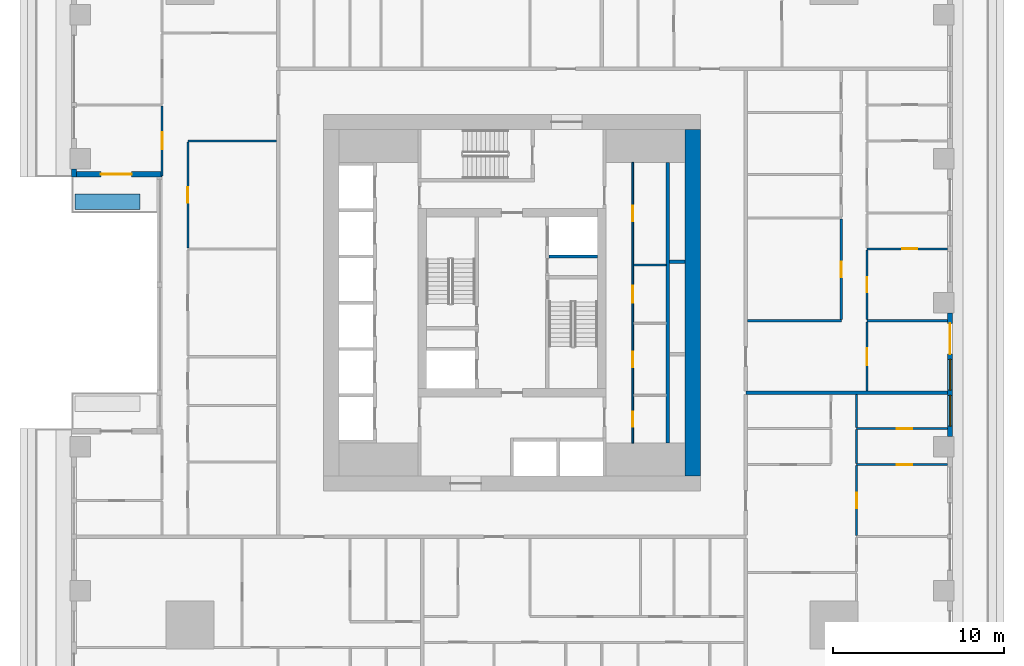
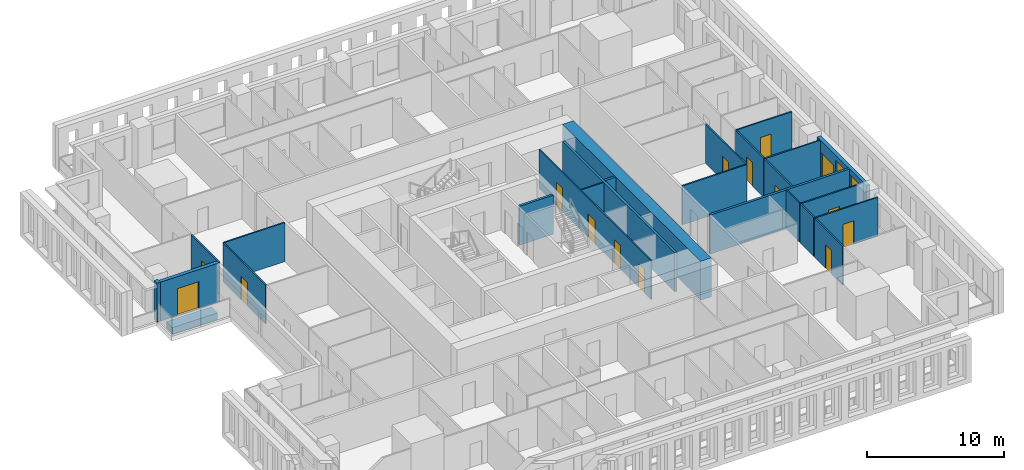
# One storey, part 6 of 15: 25 walls, 15 doors, 2 windows, 17 openings.
"""IFC4 building model written with IfcOpenShell, lengths in metres."""

from ifc_helpers import new_model, si_unit, direction, frame, frame_2d, origin, place, context, subcontext, project, spatial, rectangle, extrude, material, layer, layer_set, type_object, element, fill, save


model = new_model("IFC4")

# Units and contexts
model_context = context("Model", 3, precision=1e-05, world=origin(), true_north=direction((0.0, 1.0)))
body_context = subcontext(model_context, "Body", "Model", "MODEL_VIEW")
ifc_project = project(units=[si_unit("LENGTHUNIT", "METRE"), si_unit("AREAUNIT", "SQUARE_METRE"), si_unit("VOLUMEUNIT", "CUBIC_METRE"), si_unit("PLANEANGLEUNIT", "RADIAN"), si_unit("MASSUNIT", "GRAM", prefix="KILO")], contexts=[model_context])

# Site, building, storey
site_placement = place(None, origin())
site = spatial("IfcSite", under=ifc_project, at=site_placement, CompositionType="ELEMENT")
building_placement = place(site_placement, origin())
building = spatial("IfcBuilding", under=site, at=building_placement, Name="Khepri Terraces", CompositionType="ELEMENT")
storey_placement = place(building_placement, frame((0.0, 0.0, 94.800048828125)))
storey = spatial("IfcBuildingStorey", under=building, at=storey_placement, Name="L22", CompositionType="ELEMENT", Elevation=94.800048828125)

# Walls
ifc_material_1 = material(Name="Concrete C70/85", Category="concrete")
ifc_layer_1 = layer(ifc_material_1, 0.199951171875, Name="Concrete C70/85", Category="concrete")
ifc_layer_set_1 = layer_set([ifc_layer_1], Name="Concrete C70/85")
wall_type_1 = type_object("IfcWallType", Name="Core wall 200 C70/85", PredefinedType="SHEAR", material=ifc_layer_set_1)
wall_1_placement = place(storey_placement, frame((9.10009765625, -8.199951171875, 0.0), z_axis=(0.0, 0.0, 1.0), x_axis=(0.0, 1.0, 0.0)))
element("IfcWall", 1, at=wall_1_placement, inside=storey, type_object=wall_type_1, Name="Core wall SH05 L22", PredefinedType="SHEAR", context=body_context, shape_type="SweptSolid", body=[
    extrude(rectangle(XDim=16.39990234375, YDim=0.199951171875, at=frame_2d((8.199951171875, 0.0))), origin(), (0.0, 0.0, 1.0), 3.47998046875),
])
wall_2_placement = place(storey_placement, frame((9.199951171875, 2.39990234375, 0.0), z_axis=(0.0, 0.0, 1.0), x_axis=(1.0, 0.0, 0.0)))
element("IfcWall", 2, at=wall_2_placement, inside=storey, type_object=wall_type_1, Name="Core wall SH16 L22", PredefinedType="SHEAR", context=body_context, shape_type="SweptSolid", body=[
    extrude(rectangle(XDim=0.900146484375, YDim=0.199951171875, at=frame_2d((0.4501953125, 0.0))), origin(), (0.0, 0.0, 1.0), 3.47998046875),
])
wall_3_placement = place(storey_placement, frame((2.14990234375, 2.699951171875, 0.0), z_axis=(0.0, 0.0, 1.0), x_axis=(1.0, 0.0, 0.0)))
element("IfcWall", 3, at=wall_3_placement, inside=storey, type_object=wall_type_1, Name="Core wall SH18 L22", PredefinedType="SHEAR", context=body_context, shape_type="SweptSolid", body=[
    extrude(rectangle(XDim=2.85009765625, YDim=0.199951171875, at=frame_2d((1.425048828125, 0.0))), origin(), (0.0, 0.0, 1.0), 3.47998046875),
])
ifc_layer_2 = layer(ifc_material_1, 0.89990234375, Name="Concrete C70/85", Category="concrete")
ifc_layer_set_2 = layer_set([ifc_layer_2], Name="Concrete C70/85")
wall_type_2 = type_object("IfcWallType", Name="Core wall 900 C70/85", PredefinedType="SHEAR", material=ifc_layer_set_2)
wall_4_placement = place(storey_placement, frame((10.550048828125, -10.10009765625, 0.0), z_axis=(0.0, 0.0, 1.0), x_axis=(0.0, 1.0, 0.0)))
element("IfcWall", 4, at=wall_4_placement, inside=storey, type_object=wall_type_2, Name="Core wall OW-E L22", PredefinedType="SHEAR", context=body_context, shape_type="SweptSolid", body=[
    extrude(rectangle(XDim=20.2001953125, YDim=0.89990234375, at=frame_2d((10.10009765625, 0.0))), origin(), (0.0, 0.0, 1.0), 3.47998046875),
])

# Wall, openings, doors
ifc_material_2 = material(Name="Fire-rated gypsum board partition")
ifc_layer_3 = layer(ifc_material_2, 0.10009765625, Name="Fire-rated gypsum board partition")
ifc_layer_set_3 = layer_set([ifc_layer_3], Name="Fire-rated gypsum board partition")
wall_type_3 = type_object("IfcWallType", Name="WL-CORE-PART-100", PredefinedType="PARTITIONING", material=ifc_layer_set_3)
wall_5_placement = place(storey_placement, frame((7.050048828125, -8.199951171875, 0.0), z_axis=(0.0, 0.0, 1.0), x_axis=(0.0, 1.0, 0.0)))
wall_5 = element("IfcWall", 5, at=wall_5_placement, inside=storey, type_object=wall_type_3, Name="Core partition PT02 L22", PredefinedType="PARTITIONING", context=body_context, shape_type="SweptSolid", body=[
    extrude(rectangle(XDim=16.39990234375, YDim=0.10009765625, at=frame_2d((8.199951171875, 0.0))), origin(), (0.0, 0.0, 1.0), 3.47998046875),
])
opening_1_placement = place(wall_5_placement, frame((0.949951171875, 0.0, 0.0)))
opening_1 = element("IfcOpeningElement", 6, at=opening_1_placement, cuts=wall_5, Name="Opening L22-C22", PredefinedType="OPENING", context=body_context, shape_type="SweptSolid", body=[
    extrude(rectangle(XDim=0.89990234375, YDim=2.10009765625, at=frame_2d((0.449951171875, 1.050048828125))), frame((0.0, 0.06005859375, 0.0), z_axis=(0.0, -1.0, 0.0), x_axis=(1.0, 0.0, 0.0)), (0.0, 0.0, 1.0), 0.1201171875),
])
opening_2_placement = place(wall_5_placement, frame((4.449951171875, 0.0, 0.0)))
opening_2 = element("IfcOpeningElement", 7, at=opening_2_placement, cuts=wall_5, Name="Opening L22-C23", PredefinedType="OPENING", context=body_context, shape_type="SweptSolid", body=[
    extrude(rectangle(XDim=0.89990234375, YDim=2.10009765625, at=frame_2d((0.449951171875, 1.050048828125))), frame((0.0, 0.06005859375, 0.0), z_axis=(0.0, -1.0, 0.0), x_axis=(1.0, 0.0, 0.0)), (0.0, 0.0, 1.0), 0.1201171875),
])
opening_3_placement = place(wall_5_placement, frame((8.199951171875, 0.0, 0.0)))
opening_3 = element("IfcOpeningElement", 8, at=opening_3_placement, cuts=wall_5, Name="Opening L22-C24", PredefinedType="OPENING", context=body_context, shape_type="SweptSolid", body=[
    extrude(rectangle(XDim=1.0, YDim=2.10009765625, at=frame_2d((0.5, 1.050048828125))), frame((0.0, 0.06005859375, 0.0), z_axis=(0.0, -1.0, 0.0), x_axis=(1.0, 0.0, 0.0)), (0.0, 0.0, 1.0), 0.1201171875),
])
opening_4_placement = place(wall_5_placement, frame((12.949951171875, 0.0, 0.0)))
opening_4 = element("IfcOpeningElement", 9, at=opening_4_placement, cuts=wall_5, Name="Opening L22-C25", PredefinedType="OPENING", context=body_context, shape_type="SweptSolid", body=[
    extrude(rectangle(XDim=0.89990234375, YDim=2.10009765625, at=frame_2d((0.449951171875, 1.050048828125))), frame((0.0, 0.06005859375, 0.0), z_axis=(0.0, -1.0, 0.0), x_axis=(1.0, 0.0, 0.0)), (0.0, 0.0, 1.0), 0.1201171875),
])
ifc_material_3 = material(Name="Painted steel", Category="steel")
door_type_1 = type_object("IfcDoorType", Name="DR-CORE-SERVICE-900", OperationType="NOTDEFINED", PredefinedType="DOOR", material=ifc_material_3)
door_1_placement = place(opening_1_placement, frame((0.89990234375, 0.0, 0.0), z_axis=(0.0, 0.0, 1.0), x_axis=(-1.0, 0.0, 0.0)))
door_1 = element("IfcDoor", 10, at=door_1_placement, inside=storey, type_object=door_type_1, Name="Service room door L22-C22", OperationType="SINGLE_SWING_RIGHT", OverallHeight=2.10009765625, OverallWidth=0.89990234375, PredefinedType="DOOR", context=body_context, shape_type="SweptSolid", body=[
    extrude(rectangle(XDim=0.89990234375, YDim=2.10009765625, at=frame_2d((0.449951171875, 1.050048828125))), frame((0.0, 0.02490234375, 0.0), z_axis=(0.0, -1.0, 0.0), x_axis=(1.0, 0.0, 0.0)), (0.0, 0.0, 1.0), 0.050048828125),
])
fill(opening_1, door_1)
door_2_placement = place(opening_2_placement, frame((0.89990234375, 0.0, 0.0), z_axis=(0.0, 0.0, 1.0), x_axis=(-1.0, 0.0, 0.0)))
door_2 = element("IfcDoor", 11, at=door_2_placement, inside=storey, type_object=door_type_1, Name="Service room door L22-C23", OperationType="SINGLE_SWING_RIGHT", OverallHeight=2.10009765625, OverallWidth=0.89990234375, PredefinedType="DOOR", context=body_context, shape_type="SweptSolid", body=[
    extrude(rectangle(XDim=0.89990234375, YDim=2.10009765625, at=frame_2d((0.449951171875, 1.050048828125))), frame((0.0, 0.02490234375, 0.0), z_axis=(0.0, -1.0, 0.0), x_axis=(1.0, 0.0, 0.0)), (0.0, 0.0, 1.0), 0.050048828125),
])
fill(opening_2, door_2)
door_3_placement = place(opening_4_placement, frame((0.89990234375, 0.0, 0.0), z_axis=(0.0, 0.0, 1.0), x_axis=(-1.0, 0.0, 0.0)))
door_3 = element("IfcDoor", 12, at=door_3_placement, inside=storey, type_object=door_type_1, Name="Service room door L22-C25", OperationType="SINGLE_SWING_LEFT", OverallHeight=2.10009765625, OverallWidth=0.89990234375, PredefinedType="DOOR", context=body_context, shape_type="SweptSolid", body=[
    extrude(rectangle(XDim=0.89990234375, YDim=2.10009765625, at=frame_2d((0.449951171875, 1.050048828125))), frame((0.0, 0.02490234375, 0.0), z_axis=(0.0, -1.0, 0.0), x_axis=(1.0, 0.0, 0.0)), (0.0, 0.0, 1.0), 0.050048828125),
])
fill(opening_4, door_3)
ifc_material_4 = material(Name="Timber veneer", Category="wood")
door_type_2 = type_object("IfcDoorType", Name="DR-CORE-WC-1000", OperationType="NOTDEFINED", PredefinedType="DOOR", material=ifc_material_4)
door_4_placement = place(opening_3_placement, frame((1.0, 0.0, 0.0), z_axis=(0.0, 0.0, 1.0), x_axis=(-1.0, 0.0, 0.0)))
door_4 = element("IfcDoor", 13, at=door_4_placement, inside=storey, type_object=door_type_2, Name="WC door L22-C24", OperationType="SINGLE_SWING_LEFT", OverallHeight=2.10009765625, OverallWidth=1.0, PredefinedType="DOOR", context=body_context, shape_type="SweptSolid", body=[
    extrude(rectangle(XDim=1.0, YDim=2.10009765625, at=frame_2d((0.5, 1.050048828125))), frame((0.0, 0.02490234375, 0.0), z_axis=(0.0, -1.0, 0.0), x_axis=(1.0, 0.0, 0.0)), (0.0, 0.0, 1.0), 0.050048828125),
])
fill(opening_3, door_4)

# Walls
wall_6_placement = place(storey_placement, frame((7.10009765625, 2.199951171875, 0.0), z_axis=(0.0, 0.0, 1.0), x_axis=(1.0, 0.0, 0.0)))
element("IfcWall", 14, at=wall_6_placement, inside=storey, type_object=wall_type_3, Name="Core partition PT06 L22", PredefinedType="PARTITIONING", context=body_context, shape_type="SweptSolid", body=[
    extrude(rectangle(XDim=1.89990234375, YDim=0.10009765625, at=frame_2d((0.949951171875, 0.0))), origin(), (0.0, 0.0, 1.0), 3.47998046875),
])
ifc_material_5 = material(Name="Fire-rated gypsum plasterboard partition, mineral wool")
ifc_layer_4 = layer(ifc_material_5, 0.199951171875, Name="Fire-rated gypsum plasterboard partition, mineral wool")
ifc_layer_set_4 = layer_set([ifc_layer_4], Name="Fire-rated gypsum plasterboard partition, mineral wool")
wall_type_4 = type_object("IfcWallType", Name="WL-CORR-200", PredefinedType="PARTITIONING", material=ifc_layer_set_4)
wall_7_placement = place(storey_placement, frame((13.64990234375, -5.25, 0.0), z_axis=(0.0, 0.0, 1.0), x_axis=(1.0, 0.0, 0.0)))
element("IfcWall", 15, at=wall_7_placement, inside=storey, type_object=wall_type_4, Name="Partition P-051 L22", PredefinedType="PARTITIONING", context=body_context, shape_type="SweptSolid", body=[
    extrude(rectangle(XDim=11.77001953125, YDim=0.199951171875, at=frame_2d((5.885009765625, 0.0))), origin(), (0.0, 0.0, 1.0), 3.47998046875),
])

# Wall, openings, door, windows
ifc_material_6 = material(Name="Precast concrete C50/60 warm stone", Category="masonry")
ifc_layer_5 = layer(ifc_material_6, 0.300048828125, Name="Precast concrete C50/60 warm stone", Category="masonry")
ifc_layer_set_5 = layer_set([ifc_layer_5], Name="Precast concrete C50/60 warm stone")
wall_type_5 = type_object("IfcWallType", Name="WL-EXT-PRECAST-300", PredefinedType="STANDARD", material=ifc_layer_set_5)
wall_8_placement = place(storey_placement, frame((25.570068359375, -7.800048828125, 0.0), z_axis=(0.0, 0.0, 1.0), x_axis=(0.0, 1.0, 0.0)))
wall_8 = element("IfcWall", 16, at=wall_8_placement, inside=storey, type_object=wall_type_5, Name="External wall L22 E", PredefinedType="STANDARD", context=body_context, shape_type="SweptSolid", body=[
    extrude(rectangle(XDim=7.199951171875, YDim=0.300048828125, at=frame_2d((3.60009765625, 0.0))), origin(), (0.0, 0.0, 1.0), 3.47998046875),
])
opening_5_placement = place(wall_8_placement, frame((0.60009765625, 0.0, 0.89990234375)))
opening_5 = element("IfcOpeningElement", 17, at=opening_5_placement, cuts=wall_8, Name="Opening W1", PredefinedType="OPENING", context=body_context, shape_type="SweptSolid", body=[
    extrude(rectangle(XDim=1.800048828125, YDim=2.10009765625, at=frame_2d((0.89990234375, 1.050048828125))), frame((0.0, 0.16015625, 0.0), z_axis=(0.0, -1.0, 0.0), x_axis=(1.0, 0.0, 0.0)), (0.0, 0.0, 1.0), 0.320068359375),
])
opening_6_placement = place(wall_8_placement, frame((2.699951171875, 0.0, 0.89990234375)))
opening_6 = element("IfcOpeningElement", 18, at=opening_6_placement, cuts=wall_8, Name="Opening W1", PredefinedType="OPENING", context=body_context, shape_type="SweptSolid", body=[
    extrude(rectangle(XDim=1.800048828125, YDim=2.10009765625, at=frame_2d((0.89990234375, 1.050048828125))), frame((0.0, 0.16015625, 0.0), z_axis=(0.0, -1.0, 0.0), x_axis=(1.0, 0.0, 0.0)), (0.0, 0.0, 1.0), 0.320068359375),
])
opening_7_placement = place(wall_8_placement, frame((4.800048828125, 0.0, 0.0)))
opening_7 = element("IfcOpeningElement", 19, at=opening_7_placement, cuts=wall_8, Name="Opening ED-L22-04", PredefinedType="OPENING", context=body_context, shape_type="SweptSolid", body=[
    extrude(rectangle(XDim=1.800048828125, YDim=2.39990234375, at=frame_2d((0.89990234375, 1.199951171875))), frame((0.0, 0.16015625, 0.0), z_axis=(0.0, -1.0, 0.0), x_axis=(1.0, 0.0, 0.0)), (0.0, 0.0, 1.0), 0.320068359375),
])
ifc_material_7 = material(Name="Anodised aluminium bronze glazed door", Category="aluminium")
door_type_3 = type_object("IfcDoorType", Name="DR-BAL-SLIDE-1800x2400", OperationType="NOTDEFINED", PredefinedType="DOOR", material=ifc_material_7)
door_5_placement = place(opening_7_placement, origin())
door_5 = element("IfcDoor", 20, at=door_5_placement, inside=storey, type_object=door_type_3, Name="Balcony door L22 E", OperationType="SLIDING_TO_RIGHT", OverallHeight=2.39990234375, OverallWidth=1.800048828125, PredefinedType="DOOR", context=body_context, shape_type="SweptSolid", body=[
    extrude(rectangle(XDim=1.800048828125, YDim=2.39990234375, at=frame_2d((0.89990234375, 1.199951171875))), frame((0.0, 0.02490234375, 0.0), z_axis=(0.0, -1.0, 0.0), x_axis=(1.0, 0.0, 0.0)), (0.0, 0.0, 1.0), 0.050048828125),
])
fill(opening_7, door_5)
ifc_material_8 = material(Name="Clear glass", Category="glass")
window_type = type_object("IfcWindowType", Name="WIN-RES-1800x2100", PartitioningType="SINGLE_PANEL", PredefinedType="WINDOW", material=ifc_material_8)
window_1_placement = place(opening_5_placement, origin())
window_1 = element("IfcWindow", 21, at=window_1_placement, inside=storey, type_object=window_type, Name="Window L22 E", OverallHeight=2.10009765625, OverallWidth=1.800048828125, PartitioningType="SINGLE_PANEL", PredefinedType="WINDOW", context=body_context, shape_type="SweptSolid", body=[
    extrude(rectangle(XDim=1.800048828125, YDim=2.10009765625, at=frame_2d((0.89990234375, 1.050048828125))), frame((0.0, 0.030029296875, 0.0), z_axis=(0.0, -1.0, 0.0), x_axis=(1.0, 0.0, 0.0)), (0.0, 0.0, 1.0), 0.06005859375),
])
fill(opening_5, window_1)
window_2_placement = place(opening_6_placement, origin())
window_2 = element("IfcWindow", 22, at=window_2_placement, inside=storey, type_object=window_type, Name="Window L22 E", OverallHeight=2.10009765625, OverallWidth=1.800048828125, PartitioningType="SINGLE_PANEL", PredefinedType="WINDOW", context=body_context, shape_type="SweptSolid", body=[
    extrude(rectangle(XDim=1.800048828125, YDim=2.10009765625, at=frame_2d((0.89990234375, 1.050048828125))), frame((0.0, 0.030029296875, 0.0), z_axis=(0.0, -1.0, 0.0), x_axis=(1.0, 0.0, 0.0)), (0.0, 0.0, 1.0), 0.06005859375),
])
fill(opening_6, window_2)

# Wall
wall_9_placement = place(storey_placement, frame((-25.570068359375, 7.800048828125, 0.0), z_axis=(0.0, 0.0, 1.0), x_axis=(0.0, -1.0, 0.0)))
element("IfcWall", 23, at=wall_9_placement, inside=storey, type_object=wall_type_5, Name="External wall L22 W", PredefinedType="STANDARD", context=body_context, shape_type="SweptSolid", body=[
    extrude(rectangle(XDim=0.449951171875, YDim=0.300048828125, at=frame_2d((0.22509765625, 0.0))), origin(), (0.0, 0.0, 1.0), 3.47998046875),
])

# Wall, opening, door
wall_10_placement = place(storey_placement, frame((-25.419921875, 7.5, 0.0), z_axis=(0.0, 0.0, 1.0), x_axis=(1.0, 0.0, 0.0)))
wall_10 = element("IfcWall", 24, at=wall_10_placement, inside=storey, type_object=wall_type_5, Name="External wall L22 S", PredefinedType="STANDARD", context=body_context, shape_type="SweptSolid", body=[
    extrude(rectangle(XDim=5.0, YDim=0.300048828125, at=frame_2d((2.5, 0.0))), origin(), (0.0, 0.0, 1.0), 3.47998046875),
])
opening_8_placement = place(wall_10_placement, frame((1.419921875, 0.0, 0.0)))
opening_8 = element("IfcOpeningElement", 25, at=opening_8_placement, cuts=wall_10, Name="Opening ED-L22-16", PredefinedType="OPENING", context=body_context, shape_type="SweptSolid", body=[
    extrude(rectangle(XDim=1.800048828125, YDim=2.39990234375, at=frame_2d((0.89990234375, 1.199951171875))), frame((0.0, 0.16015625, 0.0), z_axis=(0.0, -1.0, 0.0), x_axis=(1.0, 0.0, 0.0)), (0.0, 0.0, 1.0), 0.320068359375),
])
door_6_placement = place(opening_8_placement, origin())
door_6 = element("IfcDoor", 26, at=door_6_placement, inside=storey, type_object=door_type_3, Name="Balcony door L22 S", OperationType="SLIDING_TO_LEFT", OverallHeight=2.39990234375, OverallWidth=1.800048828125, PredefinedType="DOOR", context=body_context, shape_type="SweptSolid", body=[
    extrude(rectangle(XDim=1.800048828125, YDim=2.39990234375, at=frame_2d((0.89990234375, 1.199951171875))), frame((0.0, 0.02490234375, 0.0), z_axis=(0.0, -1.0, 0.0), x_axis=(1.0, 0.0, 0.0)), (0.0, 0.0, 1.0), 0.050048828125),
])
fill(opening_8, door_6)

ifc_material_9 = material(Name="Gypsum plasterboard partition")
ifc_layer_6 = layer(ifc_material_9, 0.1201171875, Name="Gypsum plasterboard partition")
ifc_layer_set_6 = layer_set([ifc_layer_6], Name="Gypsum plasterboard partition")
wall_type_6 = type_object("IfcWallType", Name="WL-PART-120", PredefinedType="PARTITIONING", material=ifc_layer_set_6)
wall_11_placement = place(storey_placement, frame((20.1201171875, -13.590087890625, 0.0), z_axis=(0.0, 0.0, 1.0), x_axis=(0.0, 1.0, 0.0)))
wall_11 = element("IfcWall", 27, at=wall_11_placement, inside=storey, type_object=wall_type_6, Name="Partition P-031 L22", PredefinedType="PARTITIONING", context=body_context, shape_type="SweptSolid", body=[
    extrude(rectangle(XDim=4.080078125, YDim=0.1201171875, at=frame_2d((2.0400390625, 0.0))), origin(), (0.0, 0.0, 1.0), 3.47998046875),
])
opening_9_placement = place(wall_11_placement, frame((1.590087890625, 0.0, 0.0)))
opening_9 = element("IfcOpeningElement", 28, at=opening_9_placement, cuts=wall_11, Name="Opening D3", PredefinedType="OPENING", context=body_context, shape_type="SweptSolid", body=[
    extrude(rectangle(XDim=0.89990234375, YDim=2.10009765625, at=frame_2d((0.449951171875, 1.050048828125))), frame((0.0, 0.070068359375, 0.0), z_axis=(0.0, -1.0, 0.0), x_axis=(1.0, 0.0, 0.0)), (0.0, 0.0, 1.0), 0.14013671875),
])
ifc_material_10 = material(Name="Timber door leaf", Category="wood")
door_type_4 = type_object("IfcDoorType", Name="DR-INT-900", OperationType="NOTDEFINED", PredefinedType="DOOR", material=ifc_material_10)
door_7_placement = place(opening_9_placement, frame((0.89990234375, 0.0, 0.0), z_axis=(0.0, 0.0, 1.0), x_axis=(-1.0, 0.0, 0.0)))
door_7 = element("IfcDoor", 29, at=door_7_placement, inside=storey, type_object=door_type_4, Name="Door Master Bedroom", OperationType="SINGLE_SWING_RIGHT", OverallHeight=2.10009765625, OverallWidth=0.89990234375, PredefinedType="DOOR", context=body_context, shape_type="SweptSolid", body=[
    extrude(rectangle(XDim=0.89990234375, YDim=2.10009765625, at=frame_2d((0.449951171875, 1.050048828125))), frame((0.0, 0.02490234375, 0.0), z_axis=(0.0, -1.0, 0.0), x_axis=(1.0, 0.0, 0.0)), (0.0, 0.0, 1.0), 0.050048828125),
])
fill(opening_9, door_7)

wall_12_placement = place(storey_placement, frame((20.1201171875, -9.449951171875, 0.0), z_axis=(0.0, 0.0, 1.0), x_axis=(1.0, 0.0, 0.0)))
wall_12 = element("IfcWall", 30, at=wall_12_placement, inside=storey, type_object=wall_type_6, Name="Partition P-039 L22", PredefinedType="PARTITIONING", context=body_context, shape_type="SweptSolid", body=[
    extrude(rectangle(XDim=5.2998046875, YDim=0.1201171875, at=frame_2d((2.64990234375, 0.0))), origin(), (0.0, 0.0, 1.0), 3.47998046875),
])
opening_10_placement = place(wall_12_placement, frame((2.35009765625, 0.0, 0.0)))
opening_10 = element("IfcOpeningElement", 31, at=opening_10_placement, cuts=wall_12, Name="Opening D3", PredefinedType="OPENING", context=body_context, shape_type="SweptSolid", body=[
    extrude(rectangle(XDim=0.89990234375, YDim=2.10009765625, at=frame_2d((0.449951171875, 1.050048828125))), frame((0.0, 0.070068359375, 0.0), z_axis=(0.0, -1.0, 0.0), x_axis=(1.0, 0.0, 0.0)), (0.0, 0.0, 1.0), 0.14013671875),
])
door_8_placement = place(opening_10_placement, origin())
door_8 = element("IfcDoor", 32, at=door_8_placement, inside=storey, type_object=door_type_4, Name="Door Dressing Room", OperationType="SINGLE_SWING_RIGHT", OverallHeight=2.10009765625, OverallWidth=0.89990234375, PredefinedType="DOOR", context=body_context, shape_type="SweptSolid", body=[
    extrude(rectangle(XDim=0.89990234375, YDim=2.10009765625, at=frame_2d((0.449951171875, 1.050048828125))), frame((0.0, 0.02490234375, 0.0), z_axis=(0.0, -1.0, 0.0), x_axis=(1.0, 0.0, 0.0)), (0.0, 0.0, 1.0), 0.050048828125),
])
fill(opening_10, door_8)

# Wall
wall_13_placement = place(storey_placement, frame((20.1201171875, -9.389892578125, 0.0), z_axis=(0.0, 0.0, 1.0), x_axis=(0.0, 1.0, 0.0)))
element("IfcWall", 33, at=wall_13_placement, inside=storey, type_object=wall_type_6, Name="Partition P-041 L22", PredefinedType="PARTITIONING", context=body_context, shape_type="SweptSolid", body=[
    extrude(rectangle(XDim=1.97998046875, YDim=0.1201171875, at=frame_2d((0.989990234375, 0.0))), origin(), (0.0, 0.0, 1.0), 3.47998046875),
])

# Wall, opening, door
wall_14_placement = place(storey_placement, frame((20.1201171875, -7.35009765625, 0.0), z_axis=(0.0, 0.0, 1.0), x_axis=(1.0, 0.0, 0.0)))
wall_14 = element("IfcWall", 34, at=wall_14_placement, inside=storey, type_object=wall_type_6, Name="Partition P-046 L22", PredefinedType="PARTITIONING", context=body_context, shape_type="SweptSolid", body=[
    extrude(rectangle(XDim=5.2998046875, YDim=0.1201171875, at=frame_2d((2.64990234375, 0.0))), origin(), (0.0, 0.0, 1.0), 3.47998046875),
])
opening_11_placement = place(wall_14_placement, frame((2.35009765625, 0.0, 0.0)))
opening_11 = element("IfcOpeningElement", 35, at=opening_11_placement, cuts=wall_14, Name="Opening D4", PredefinedType="OPENING", context=body_context, shape_type="SweptSolid", body=[
    extrude(rectangle(XDim=0.89990234375, YDim=2.10009765625, at=frame_2d((0.449951171875, 1.050048828125))), frame((0.0, 0.070068359375, 0.0), z_axis=(0.0, -1.0, 0.0), x_axis=(1.0, 0.0, 0.0)), (0.0, 0.0, 1.0), 0.14013671875),
])
ifc_material_11 = material(Name="Timber door leaf, moisture resistant", Category="wood")
door_type_5 = type_object("IfcDoorType", Name="DR-WET-900", OperationType="NOTDEFINED", PredefinedType="DOOR", material=ifc_material_11)
door_9_placement = place(opening_11_placement, origin())
door_9 = element("IfcDoor", 36, at=door_9_placement, inside=storey, type_object=door_type_5, Name="Door Bathroom", OperationType="SINGLE_SWING_RIGHT", OverallHeight=2.10009765625, OverallWidth=0.89990234375, PredefinedType="DOOR", context=body_context, shape_type="SweptSolid", body=[
    extrude(rectangle(XDim=0.89990234375, YDim=2.10009765625, at=frame_2d((0.449951171875, 1.050048828125))), frame((0.0, 0.02490234375, 0.0), z_axis=(0.0, -1.0, 0.0), x_axis=(1.0, 0.0, 0.0)), (0.0, 0.0, 1.0), 0.050048828125),
])
fill(opening_11, door_9)

# Wall
wall_15_placement = place(storey_placement, frame((20.1201171875, -7.2900390625, 0.0), z_axis=(0.0, 0.0, 1.0), x_axis=(0.0, 1.0, 0.0)))
element("IfcWall", 37, at=wall_15_placement, inside=storey, type_object=wall_type_6, Name="Partition P-048 L22", PredefinedType="PARTITIONING", context=body_context, shape_type="SweptSolid", body=[
    extrude(rectangle(XDim=1.93994140625, YDim=0.1201171875, at=frame_2d((0.969970703125, 0.0))), origin(), (0.0, 0.0, 1.0), 3.47998046875),
])

# Wall, opening, door
wall_16_placement = place(storey_placement, frame((20.719970703125, -5.14990234375, 0.0), z_axis=(0.0, 0.0, 1.0), x_axis=(0.0, 1.0, 0.0)))
wall_16 = element("IfcWall", 38, at=wall_16_placement, inside=storey, type_object=wall_type_6, Name="Partition P-053 L22", PredefinedType="PARTITIONING", context=body_context, shape_type="SweptSolid", body=[
    extrude(rectangle(XDim=4.039794921875, YDim=0.1201171875, at=frame_2d((2.02001953125, 0.0))), origin(), (0.0, 0.0, 1.0), 3.47998046875),
])
opening_12_placement = place(wall_16_placement, frame((1.5, 0.0, 0.0)))
opening_12 = element("IfcOpeningElement", 39, at=opening_12_placement, cuts=wall_16, Name="Opening D2", PredefinedType="OPENING", context=body_context, shape_type="SweptSolid", body=[
    extrude(rectangle(XDim=1.0, YDim=2.10009765625, at=frame_2d((0.5, 1.050048828125))), frame((0.0, 0.070068359375, 0.0), z_axis=(0.0, -1.0, 0.0), x_axis=(1.0, 0.0, 0.0)), (0.0, 0.0, 1.0), 0.14013671875),
])
ifc_material_12 = material(Name="Timber door leaf, living room door", Category="wood")
door_type_6 = type_object("IfcDoorType", Name="DR-INT-1000", OperationType="NOTDEFINED", PredefinedType="DOOR", material=ifc_material_12)
door_10_placement = place(opening_12_placement, frame((1.0, 0.0, 0.0), z_axis=(0.0, 0.0, 1.0), x_axis=(-1.0, 0.0, 0.0)))
door_10 = element("IfcDoor", 40, at=door_10_placement, inside=storey, type_object=door_type_6, Name="Door Living Room", OperationType="SINGLE_SWING_RIGHT", OverallHeight=2.10009765625, OverallWidth=1.0, PredefinedType="DOOR", context=body_context, shape_type="SweptSolid", body=[
    extrude(rectangle(XDim=1.0, YDim=2.10009765625, at=frame_2d((0.5, 1.050048828125))), frame((0.0, 0.02490234375, 0.0), z_axis=(0.0, -1.0, 0.0), x_axis=(1.0, 0.0, 0.0)), (0.0, 0.0, 1.0), 0.050048828125),
])
fill(opening_12, door_10)

# Walls
wall_17_placement = place(storey_placement, frame((13.75, -1.050048828125, 0.0), z_axis=(0.0, 0.0, 1.0), x_axis=(1.0, 0.0, 0.0)))
element("IfcWall", 41, at=wall_17_placement, inside=storey, type_object=wall_type_6, Name="Partition P-056 L22", PredefinedType="PARTITIONING", context=body_context, shape_type="SweptSolid", body=[
    extrude(rectangle(XDim=5.469970703125, YDim=0.1201171875, at=frame_2d((2.73486328125, 0.0))), origin(), (0.0, 0.0, 1.0), 3.47998046875),
])
wall_18_placement = place(storey_placement, frame((20.719970703125, -1.050048828125, 0.0), z_axis=(0.0, 0.0, 1.0), x_axis=(1.0, 0.0, 0.0)))
element("IfcWall", 42, at=wall_18_placement, inside=storey, type_object=wall_type_6, Name="Partition P-057 L22", PredefinedType="PARTITIONING", context=body_context, shape_type="SweptSolid", body=[
    extrude(rectangle(XDim=4.699951171875, YDim=0.1201171875, at=frame_2d((2.35009765625, 0.0))), origin(), (0.0, 0.0, 1.0), 3.47998046875),
])

# Wall, opening, door
wall_19_placement = place(storey_placement, frame((19.219970703125, -0.989990234375, 0.0), z_axis=(0.0, 0.0, 1.0), x_axis=(0.0, 1.0, 0.0)))
wall_19 = element("IfcWall", 43, at=wall_19_placement, inside=storey, type_object=wall_type_6, Name="Partition P-058 L22", PredefinedType="PARTITIONING", context=body_context, shape_type="SweptSolid", body=[
    extrude(rectangle(XDim=5.8798828125, YDim=0.1201171875, at=frame_2d((2.93994140625, 0.0))), origin(), (0.0, 0.0, 1.0), 3.47998046875),
])
opening_13_placement = place(wall_19_placement, frame((2.489990234375, 0.0, 0.0)))
opening_13 = element("IfcOpeningElement", 44, at=opening_13_placement, cuts=wall_19, Name="Opening D3", PredefinedType="OPENING", context=body_context, shape_type="SweptSolid", body=[
    extrude(rectangle(XDim=0.89990234375, YDim=2.10009765625, at=frame_2d((0.449951171875, 1.050048828125))), frame((0.0, 0.070068359375, 0.0), z_axis=(0.0, -1.0, 0.0), x_axis=(1.0, 0.0, 0.0)), (0.0, 0.0, 1.0), 0.14013671875),
])
door_11_placement = place(opening_13_placement, origin())
door_11 = element("IfcDoor", 45, at=door_11_placement, inside=storey, type_object=door_type_4, Name="Door Kitchen", OperationType="SINGLE_SWING_RIGHT", OverallHeight=2.10009765625, OverallWidth=0.89990234375, PredefinedType="DOOR", context=body_context, shape_type="SweptSolid", body=[
    extrude(rectangle(XDim=0.89990234375, YDim=2.10009765625, at=frame_2d((0.449951171875, 1.050048828125))), frame((0.0, 0.02490234375, 0.0), z_axis=(0.0, -1.0, 0.0), x_axis=(1.0, 0.0, 0.0)), (0.0, 0.0, 1.0), 0.050048828125),
])
fill(opening_13, door_11)

wall_20_placement = place(storey_placement, frame((20.719970703125, -0.989990234375, 0.0), z_axis=(0.0, 0.0, 1.0), x_axis=(0.0, 1.0, 0.0)))
wall_20 = element("IfcWall", 46, at=wall_20_placement, inside=storey, type_object=wall_type_6, Name="Partition P-059 L22", PredefinedType="PARTITIONING", context=body_context, shape_type="SweptSolid", body=[
    extrude(rectangle(XDim=4.080078125, YDim=0.1201171875, at=frame_2d((2.0400390625, 0.0))), origin(), (0.0, 0.0, 1.0), 3.47998046875),
])
opening_14_placement = place(wall_20_placement, frame((1.590087890625, 0.0, 0.0)))
opening_14 = element("IfcOpeningElement", 47, at=opening_14_placement, cuts=wall_20, Name="Opening D3", PredefinedType="OPENING", context=body_context, shape_type="SweptSolid", body=[
    extrude(rectangle(XDim=0.89990234375, YDim=2.10009765625, at=frame_2d((0.449951171875, 1.050048828125))), frame((0.0, 0.070068359375, 0.0), z_axis=(0.0, -1.0, 0.0), x_axis=(1.0, 0.0, 0.0)), (0.0, 0.0, 1.0), 0.14013671875),
])
door_12_placement = place(opening_14_placement, frame((0.89990234375, 0.0, 0.0), z_axis=(0.0, 0.0, 1.0), x_axis=(-1.0, 0.0, 0.0)))
door_12 = element("IfcDoor", 48, at=door_12_placement, inside=storey, type_object=door_type_4, Name="Door Bedroom", OperationType="SINGLE_SWING_LEFT", OverallHeight=2.10009765625, OverallWidth=0.89990234375, PredefinedType="DOOR", context=body_context, shape_type="SweptSolid", body=[
    extrude(rectangle(XDim=0.89990234375, YDim=2.10009765625, at=frame_2d((0.449951171875, 1.050048828125))), frame((0.0, 0.02490234375, 0.0), z_axis=(0.0, -1.0, 0.0), x_axis=(1.0, 0.0, 0.0)), (0.0, 0.0, 1.0), 0.050048828125),
])
fill(opening_14, door_12)

wall_21_placement = place(storey_placement, frame((20.719970703125, 3.14990234375, 0.0), z_axis=(0.0, 0.0, 1.0), x_axis=(1.0, 0.0, 0.0)))
wall_21 = element("IfcWall", 49, at=wall_21_placement, inside=storey, type_object=wall_type_6, Name="Partition P-061 L22", PredefinedType="PARTITIONING", context=body_context, shape_type="SweptSolid", body=[
    extrude(rectangle(XDim=4.699951171875, YDim=0.1201171875, at=frame_2d((2.35009765625, 0.0))), origin(), (0.0, 0.0, 1.0), 3.47998046875),
])
opening_15_placement = place(wall_21_placement, frame((2.050048828125, 0.0, 0.0)))
opening_15 = element("IfcOpeningElement", 50, at=opening_15_placement, cuts=wall_21, Name="Opening D4", PredefinedType="OPENING", context=body_context, shape_type="SweptSolid", body=[
    extrude(rectangle(XDim=0.89990234375, YDim=2.10009765625, at=frame_2d((0.449951171875, 1.050048828125))), frame((0.0, 0.070068359375, 0.0), z_axis=(0.0, -1.0, 0.0), x_axis=(1.0, 0.0, 0.0)), (0.0, 0.0, 1.0), 0.14013671875),
])
door_13_placement = place(opening_15_placement, origin())
door_13 = element("IfcDoor", 51, at=door_13_placement, inside=storey, type_object=door_type_5, Name="Door Bathroom", OperationType="SINGLE_SWING_RIGHT", OverallHeight=2.10009765625, OverallWidth=0.89990234375, PredefinedType="DOOR", context=body_context, shape_type="SweptSolid", body=[
    extrude(rectangle(XDim=0.89990234375, YDim=2.10009765625, at=frame_2d((0.449951171875, 1.050048828125))), frame((0.0, 0.02490234375, 0.0), z_axis=(0.0, -1.0, 0.0), x_axis=(1.0, 0.0, 0.0)), (0.0, 0.0, 1.0), 0.050048828125),
])
fill(opening_15, door_13)

wall_22_placement = place(storey_placement, frame((-18.919921875, 3.2099609375, 0.0), z_axis=(0.0, 0.0, 1.0), x_axis=(0.0, 1.0, 0.0)))
wall_22 = element("IfcWall", 52, at=wall_22_placement, inside=storey, type_object=wall_type_6, Name="Partition P-062 L22", PredefinedType="PARTITIONING", context=body_context, shape_type="SweptSolid", body=[
    extrude(rectangle(XDim=6.179931640625, YDim=0.1201171875, at=frame_2d((3.08984375, 0.0))), origin(), (0.0, 0.0, 1.0), 3.47998046875),
])
opening_16_placement = place(wall_22_placement, frame((2.639892578125, 0.0, 0.0)))
opening_16 = element("IfcOpeningElement", 53, at=opening_16_placement, cuts=wall_22, Name="Opening D3", PredefinedType="OPENING", context=body_context, shape_type="SweptSolid", body=[
    extrude(rectangle(XDim=0.89990234375, YDim=2.10009765625, at=frame_2d((0.449951171875, 1.050048828125))), frame((0.0, 0.070068359375, 0.0), z_axis=(0.0, -1.0, 0.0), x_axis=(1.0, 0.0, 0.0)), (0.0, 0.0, 1.0), 0.14013671875),
])
door_14_placement = place(opening_16_placement, frame((0.89990234375, 0.0, 0.0), z_axis=(0.0, 0.0, 1.0), x_axis=(-1.0, 0.0, 0.0)))
door_14 = element("IfcDoor", 54, at=door_14_placement, inside=storey, type_object=door_type_4, Name="Door Kitchen", OperationType="SINGLE_SWING_RIGHT", OverallHeight=2.10009765625, OverallWidth=0.89990234375, PredefinedType="DOOR", context=body_context, shape_type="SweptSolid", body=[
    extrude(rectangle(XDim=0.89990234375, YDim=2.10009765625, at=frame_2d((0.449951171875, 1.050048828125))), frame((0.0, 0.02490234375, 0.0), z_axis=(0.0, -1.0, 0.0), x_axis=(1.0, 0.0, 0.0)), (0.0, 0.0, 1.0), 0.050048828125),
])
fill(opening_16, door_14)

wall_23_placement = place(storey_placement, frame((-20.419921875, 7.409912109375, 0.0), z_axis=(0.0, 0.0, 1.0), x_axis=(0.0, 1.0, 0.0)))
wall_23 = element("IfcWall", 55, at=wall_23_placement, inside=storey, type_object=wall_type_6, Name="Partition P-069 L22", PredefinedType="PARTITIONING", context=body_context, shape_type="SweptSolid", body=[
    extrude(rectangle(XDim=4.080078125, YDim=0.1201171875, at=frame_2d((2.0400390625, 0.0))), origin(), (0.0, 0.0, 1.0), 3.47998046875),
])
opening_17_placement = place(wall_23_placement, frame((1.5400390625, 0.0, 0.0)))
opening_17 = element("IfcOpeningElement", 56, at=opening_17_placement, cuts=wall_23, Name="Opening D2", PredefinedType="OPENING", context=body_context, shape_type="SweptSolid", body=[
    extrude(rectangle(XDim=1.0, YDim=2.10009765625, at=frame_2d((0.5, 1.050048828125))), frame((0.0, 0.070068359375, 0.0), z_axis=(0.0, -1.0, 0.0), x_axis=(1.0, 0.0, 0.0)), (0.0, 0.0, 1.0), 0.14013671875),
])
door_15_placement = place(opening_17_placement, origin())
door_15 = element("IfcDoor", 57, at=door_15_placement, inside=storey, type_object=door_type_6, Name="Door Sun Lounge", OperationType="SINGLE_SWING_LEFT", OverallHeight=2.10009765625, OverallWidth=1.0, PredefinedType="DOOR", context=body_context, shape_type="SweptSolid", body=[
    extrude(rectangle(XDim=1.0, YDim=2.10009765625, at=frame_2d((0.5, 1.050048828125))), frame((0.0, 0.02490234375, 0.0), z_axis=(0.0, -1.0, 0.0), x_axis=(1.0, 0.0, 0.0)), (0.0, 0.0, 1.0), 0.050048828125),
])
fill(opening_17, door_15)

# Walls
wall_24_placement = place(storey_placement, frame((-18.919921875, 9.449951171875, 0.0), z_axis=(0.0, 0.0, 1.0), x_axis=(1.0, 0.0, 0.0)))
element("IfcWall", 58, at=wall_24_placement, inside=storey, type_object=wall_type_6, Name="Partition P-072 L22", PredefinedType="PARTITIONING", context=body_context, shape_type="SweptSolid", body=[
    extrude(rectangle(XDim=5.169921875, YDim=0.1201171875, at=frame_2d((2.5849609375, 0.0))), origin(), (0.0, 0.0, 1.0), 3.47998046875),
])
ifc_layer_7 = layer(ifc_material_6, 0.89990234375, Name="Precast concrete C50/60 warm stone", Category="masonry")
ifc_layer_set_7 = layer_set([ifc_layer_7], Name="Precast concrete C50/60 warm stone")
wall_type_7 = type_object("IfcWallType", Name="WL-PLANTER-900", PredefinedType="MOVABLE", material=ifc_layer_set_7)
wall_25_placement = place(storey_placement, frame((-25.52001953125, 5.89990234375, 0.0), z_axis=(0.0, 0.0, 1.0), x_axis=(1.0, 0.0, 0.0)))
element("IfcWall", 59, at=wall_25_placement, inside=storey, type_object=wall_type_7, Name="Planter L22", PredefinedType="MOVABLE", context=body_context, shape_type="SweptSolid", body=[
    extrude(rectangle(XDim=3.800048828125, YDim=0.89990234375, at=frame_2d((1.89990234375, 0.0))), origin(), (0.0, 0.0, 1.0), 0.599853515625),
])

save(model, "model.ifc")
